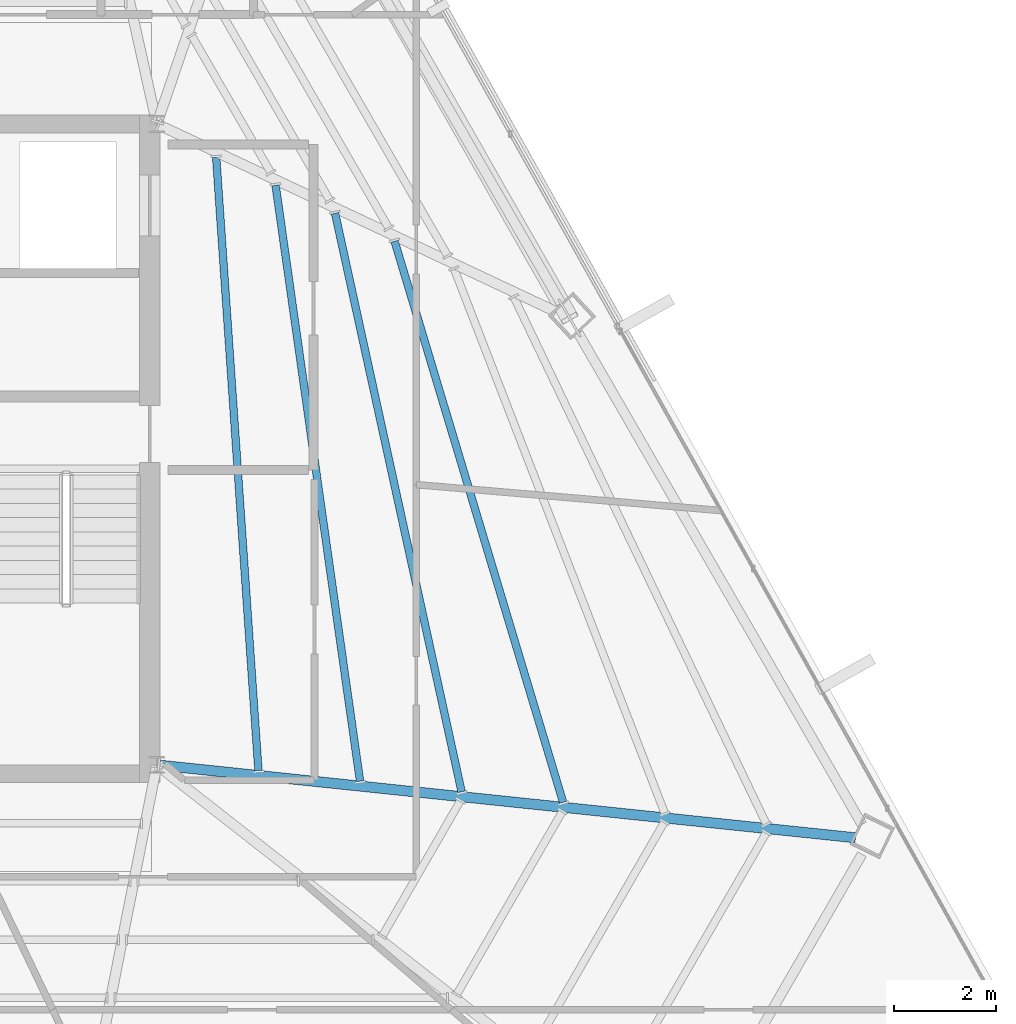
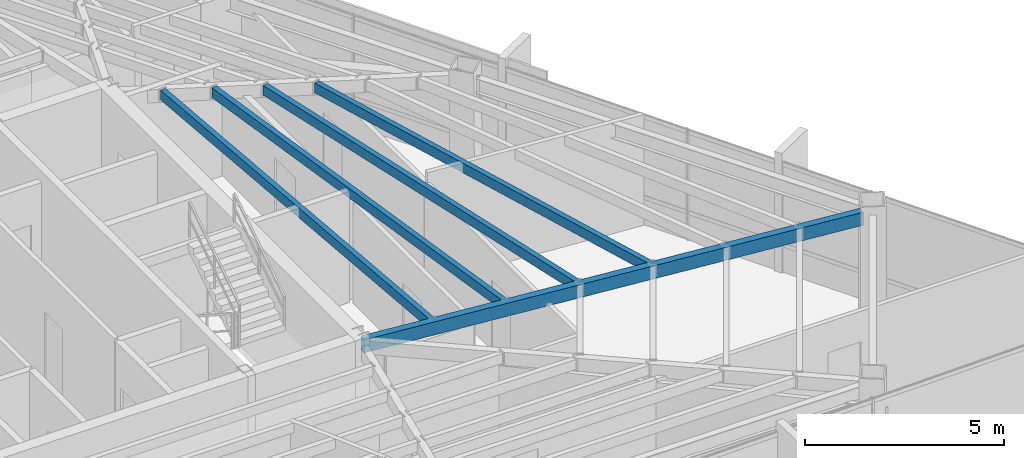
# One storey, part 22 of 47: 5 beams.
"""IFC4 building model written with IfcOpenShell, lengths in metres."""

from ifc_helpers import new_model, si_unit, direction, frame, origin, origin_2d, place, context, subcontext, project, spatial, hollow_rectangle, extrude, source, transform, mapped, material, material_profile, profile_set, type_object, type_shapes, element, save


model = new_model("IFC4")

# Units and contexts
model_context = context("Model", 3, precision=1e-05, world=origin(), true_north=direction((0.0, 1.0)))
body_context = subcontext(model_context, "Body", "Model", "MODEL_VIEW")
ifc_project = project(units=[si_unit("LENGTHUNIT", "METRE"), si_unit("AREAUNIT", "SQUARE_METRE"), si_unit("VOLUMEUNIT", "CUBIC_METRE"), si_unit("PLANEANGLEUNIT", "RADIAN"), si_unit("MASSUNIT", "GRAM", prefix="KILO")], contexts=[model_context])

# Site, building, storey
site_placement = place(None, origin())
site = spatial("IfcSite", under=ifc_project, at=site_placement, CompositionType="ELEMENT")
building_placement = place(site_placement, origin())
building = spatial("IfcBuilding", under=site, at=building_placement, Name="Caelisora Broadcast Tower", CompositionType="ELEMENT")
storey_placement = place(building_placement, frame((0.0, 0.0, 255.39990234375)))
storey = spatial("IfcBuildingStorey", under=building, at=storey_placement, Name="L67", CompositionType="ELEMENT", Elevation=255.39990234375)

# Beams
ifc_material = material(Name="Steel Grade 350 (AS/NZS 1163 C350L0)", Category="steel")
ifc_material_profile_1 = material_profile(ifc_material, hollow_rectangle(XDim=0.199951171875, YDim=0.39990234375, WallThickness=0.012451171875, at=origin_2d()), Name="Steel Grade 350 (AS/NZS 1163 C350L0)")
ifc_profile_set_1 = profile_set([ifc_material_profile_1], Name="Steel Grade 350 (AS/NZS 1163 C350L0)")
beam_type_1 = type_object("IfcBeamType", Name="PG07", PredefinedType="BEAM", material=ifc_profile_set_1)
shared_shape_1 = source(origin(), body_context, "Body", "SweptSolid", [
    extrude(hollow_rectangle(XDim=0.199951171875, YDim=0.39990234375, WallThickness=0.012451171875, at=origin_2d()), origin(), (0.0, 0.0, 1.0), 13.750244140625),
])
type_shapes(beam_type_1, [shared_shape_1])
beam_1_placement = place(storey_placement, frame((45.559814453125, 17.393798828125, 3.2001953125), z_axis=(0.994602120233, -0.103762336267, 0.0), x_axis=(0.103762336267, 0.994602120233, 0.0)))
element("IfcBeam", 1, at=beam_1_placement, inside=storey, type_object=beam_type_1, Name="L67 beam PG07", PredefinedType="BEAM", context=body_context, shape_type="MappedRepresentation", body=[
    mapped(shared_shape_1, transform((0.0, 0.0, 0.0), scale=1.0)),
])
ifc_material_profile_2 = material_profile(ifc_material, hollow_rectangle(XDim=0.14990234375, YDim=0.300048828125, WallThickness=0.010009765625, at=origin_2d()), Name="Steel Grade 350 (AS/NZS 1163 C350L0)")
ifc_profile_set_2 = profile_set([ifc_material_profile_2], Name="Steel Grade 350 (AS/NZS 1163 C350L0)")
beam_type_2 = type_object("IfcBeamType", Name="SB05", PredefinedType="JOIST", material=ifc_profile_set_2)
shared_shape_2 = source(origin(), body_context, "Body", "SweptSolid", [
    extrude(hollow_rectangle(XDim=0.14990234375, YDim=0.300048828125, WallThickness=0.010009765625, at=origin_2d()), origin(), (0.0, 0.0, 1.0), 12.082763671875),
])
beam_2_placement = place(storey_placement, frame((47.497802734375, 17.289306640625, 3.25), z_axis=(-0.068759791227, 0.99763324479, 0.0), x_axis=(-0.99763324479, -0.068759791227, 0.0)))
element("IfcBeam", 2, at=beam_2_placement, inside=storey, type_object=beam_type_2, Name="L67 beam SB05", PredefinedType="JOIST", context=body_context, shape_type="MappedRepresentation", body=[
    mapped(shared_shape_2, transform((0.0, 0.0, 0.0), scale=1.0)),
])
shared_shape_3 = source(origin(), body_context, "Body", "SweptSolid", [
    extrude(hollow_rectangle(XDim=0.14990234375, YDim=0.300048828125, WallThickness=0.010009765625, at=origin_2d()), origin(), (0.0, 0.0, 1.0), 11.830322265625),
])
beam_3_placement = place(storey_placement, frame((49.4951171875, 17.080810546875, 3.25), z_axis=(-0.140308948634, 0.990107771373, 0.0), x_axis=(-0.990107771373, -0.140308948634, 0.0)))
element("IfcBeam", 3, at=beam_3_placement, inside=storey, type_object=beam_type_2, Name="L67 beam SB05", PredefinedType="JOIST", context=body_context, shape_type="MappedRepresentation", body=[
    mapped(shared_shape_3, transform((0.0, 0.0, 0.0), scale=1.0)),
])
shared_shape_4 = source(origin(), body_context, "Body", "SweptSolid", [
    extrude(hollow_rectangle(XDim=0.14990234375, YDim=0.300048828125, WallThickness=0.010009765625, at=origin_2d()), origin(), (0.0, 0.0, 1.0), 11.640625),
])
beam_4_placement = place(storey_placement, frame((51.491943359375, 16.87255859375, 3.25), z_axis=(-0.213693751425, 0.976900701505, 0.0), x_axis=(-0.976900701505, -0.213693751425, 0.0)))
element("IfcBeam", 4, at=beam_4_placement, inside=storey, type_object=beam_type_2, Name="L67 beam SB05", PredefinedType="JOIST", context=body_context, shape_type="MappedRepresentation", body=[
    mapped(shared_shape_4, transform((0.0, 0.0, 0.0), scale=1.0)),
])
shared_shape_5 = source(origin(), body_context, "Body", "SweptSolid", [
    extrude(hollow_rectangle(XDim=0.14990234375, YDim=0.300048828125, WallThickness=0.010009765625, at=origin_2d()), origin(), (0.0, 0.0, 1.0), 11.515869140625),
])
type_shapes(beam_type_2, [shared_shape_2, shared_shape_3, shared_shape_4, shared_shape_5])
beam_5_placement = place(storey_placement, frame((53.488037109375, 16.66455078125, 3.25), z_axis=(-0.287668793555, 0.957729954222, 0.0), x_axis=(-0.957729954222, -0.287668793555, 0.0)))
element("IfcBeam", 5, at=beam_5_placement, inside=storey, type_object=beam_type_2, Name="L67 beam SB05", PredefinedType="JOIST", context=body_context, shape_type="MappedRepresentation", body=[
    mapped(shared_shape_5, transform((0.0, 0.0, 0.0), scale=1.0)),
])

save(model, "model.ifc")
